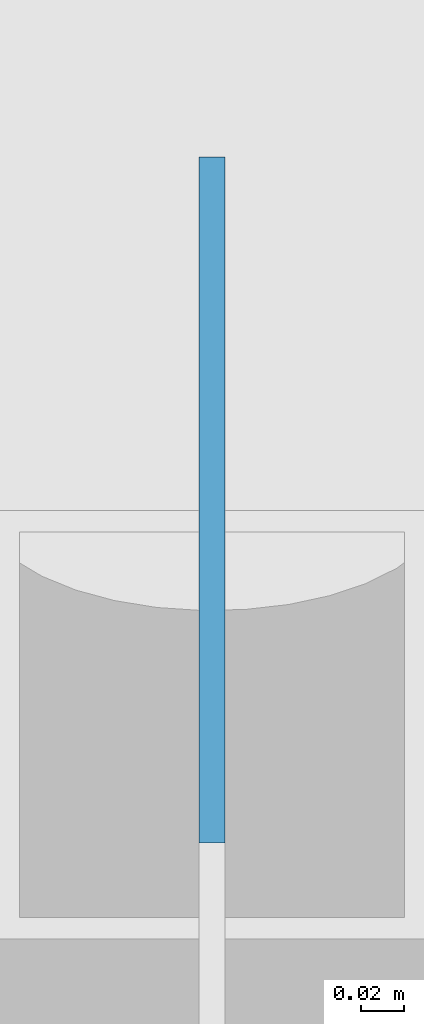
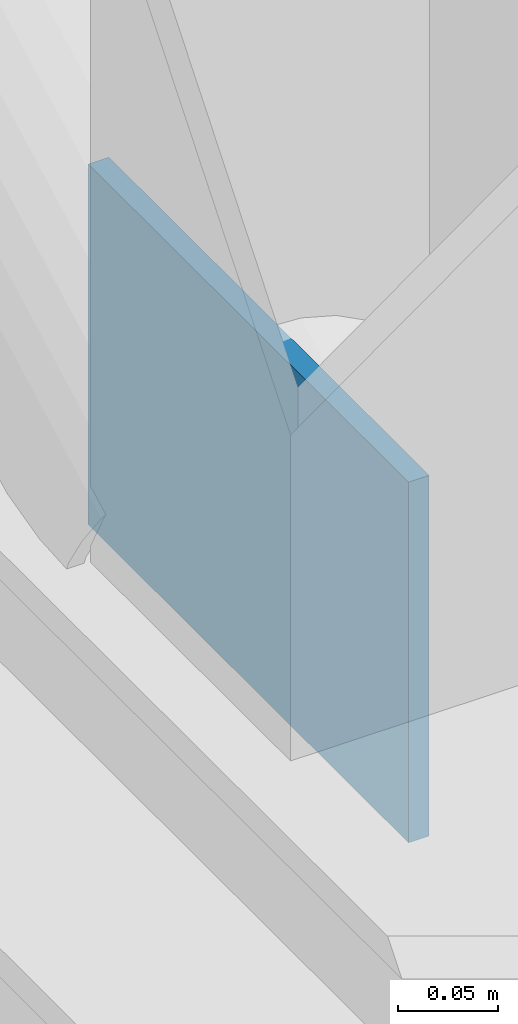
# One storey, part 48 of 71: 1 plate.
"""IFC4 building model written with IfcOpenShell, lengths in metres."""

from ifc_helpers import new_model, si_unit, direction, frame, origin, origin_2d, place, context, subcontext, project, spatial, rectangle, extrude, material, layer, layer_set, type_object, element, save


model = new_model("IFC4")

# Units and contexts
model_context = context("Model", 3, precision=1e-05, world=origin(), true_north=direction((0.0, 1.0)))
body_context = subcontext(model_context, "Body", "Model", "MODEL_VIEW")
ifc_project = project(units=[si_unit("LENGTHUNIT", "METRE"), si_unit("AREAUNIT", "SQUARE_METRE"), si_unit("VOLUMEUNIT", "CUBIC_METRE"), si_unit("PLANEANGLEUNIT", "RADIAN"), si_unit("MASSUNIT", "GRAM", prefix="KILO")], contexts=[model_context])

# Site, building, storey
site_placement = place(None, origin())
site = spatial("IfcSite", under=ifc_project, at=site_placement, CompositionType="ELEMENT")
building_placement = place(site_placement, origin())
building = spatial("IfcBuilding", under=site, at=building_placement, Name="Bempovik Park Faculty of Sciences", CompositionType="ELEMENT")
storey_placement = place(building_placement, frame((0.0, 0.0, 14.10009765625)))
storey = spatial("IfcBuildingStorey", under=building, at=storey_placement, Name="L03", CompositionType="ELEMENT", Elevation=14.10009765625)

# Plate
ifc_material = material(Name="Steel S355", Category="steel")
ifc_layer = layer(ifc_material, 0.011962890625)
ifc_layer_set = layer_set([ifc_layer], Name="Steel S355")
plate_type = type_object("IfcPlateType", Name="PL-26 Steel Plate 320x220x12", PredefinedType="SHEET", material=ifc_layer_set)
plate_placement = place(storey_placement, frame((117.60009765625, 34.304931640625, 5.17578125), z_axis=(0.0, 0.0, 1.0), x_axis=(1.0, 0.0, 0.0)))
element("IfcPlate", 1, at=plate_placement, inside=storey, type_object=plate_type, Name="Brace/Strut End Gusset Plate SAW-V1-B2-D2-1176-E1", PredefinedType="SHEET", context=body_context, shape_type="SweptSolid", body=[
    extrude(rectangle(XDim=0.011962890625, YDim=0.320068359375, at=origin_2d()), origin(), (0.0, 0.0, 1.0), 0.219970703125),
])

save(model, "model.ifc")
